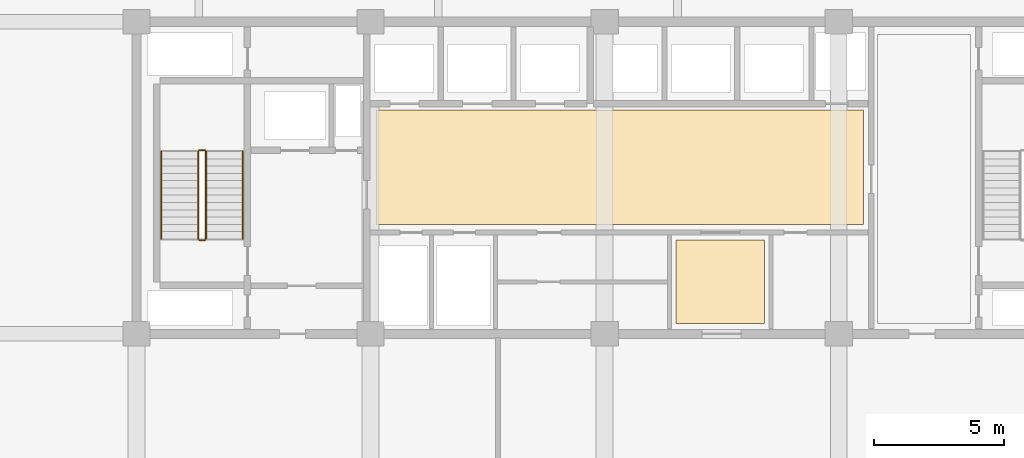
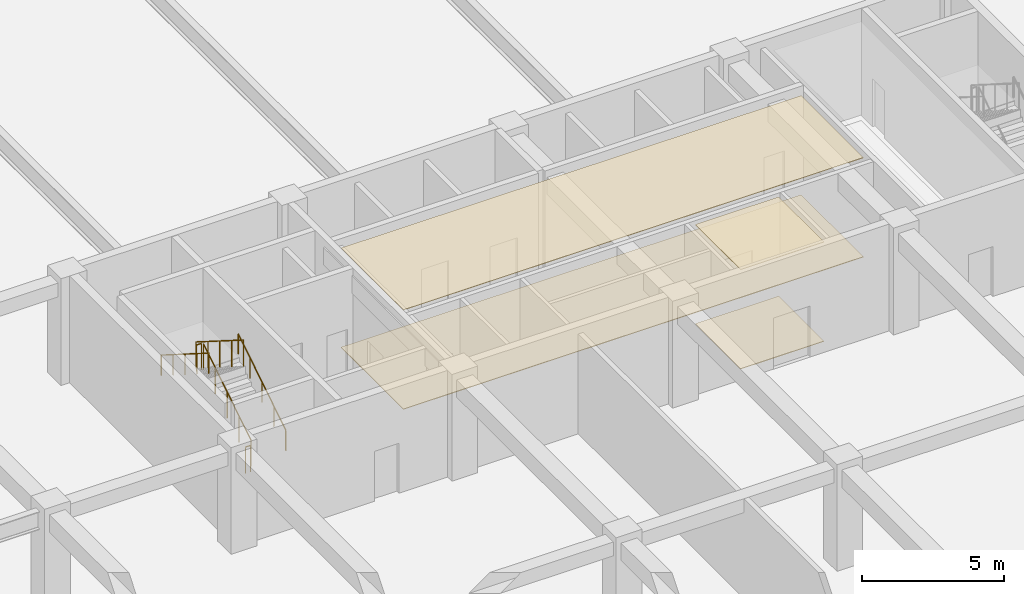
# One storey, part 35 of 45: 6 railings, 4 coverings.
"""IFC4 building model written with IfcOpenShell, lengths in metres."""

from ifc_helpers import new_model, si_unit, direction, frame, origin, origin_2d, place, context, subcontext, project, spatial, polyline, circle, outline, extrude, material, layer, layer_set, type_object, element, save


model = new_model("IFC4")

# Units and contexts
model_context = context("Model", 3, precision=1e-05, world=origin(), true_north=direction((0.0, 1.0)))
body_context = subcontext(model_context, "Body", "Model", "MODEL_VIEW")
ifc_project = project(units=[si_unit("LENGTHUNIT", "METRE"), si_unit("AREAUNIT", "SQUARE_METRE"), si_unit("VOLUMEUNIT", "CUBIC_METRE"), si_unit("PLANEANGLEUNIT", "RADIAN"), si_unit("MASSUNIT", "GRAM", prefix="KILO")], contexts=[model_context])

# Site, building, storey
site_placement = place(None, origin())
site = spatial("IfcSite", under=ifc_project, at=site_placement, CompositionType="ELEMENT")
building_placement = place(site_placement, origin())
building = spatial("IfcBuilding", under=site, at=building_placement, Name="Korimba Cascade Residences", CompositionType="ELEMENT")
storey_placement = place(building_placement, frame((0.0, 0.0, 5.39990234375)))
storey = spatial("IfcBuildingStorey", under=building, at=storey_placement, Name="L01", CompositionType="ELEMENT", Elevation=5.39990234375)

# Coverings
ifc_material_1 = material(Name="Perforated Acoustic Gypsum Ceiling", Category="gypsum")
ifc_layer_1 = layer(ifc_material_1, 0.02490234375)
ifc_layer_set_1 = layer_set([ifc_layer_1], Name="Perforated Acoustic Gypsum Ceiling")
covering_type_1 = type_object("IfcCoveringType", Name="COV-CLG-AC", PredefinedType="CEILING", material=ifc_layer_set_1)
covering_1_placement = place(storey_placement, frame((0.0, 0.0, 4.275146484375)))
element("IfcCovering", 1, at=covering_1_placement, inside=storey, type_object=covering_type_1, Name="L01 Suspended Acoustic Ceiling L01-LL2", PredefinedType="CEILING", context=body_context, shape_type="SweptSolid", body=[
    extrude(outline(polyline([(91.300048828125, 22.60009765625), (110.050048828125, 22.60009765625), (110.050048828125, 27.0), (91.300048828125, 27.0), (91.300048828125, 22.60009765625)])), origin(), (0.0, 0.0, 1.0), 0.02490234375),
])
covering_2_placement = place(storey_placement, frame((0.0, 0.0, 4.275146484375)))
element("IfcCovering", 2, at=covering_2_placement, inside=storey, type_object=covering_type_1, Name="L01 Suspended Acoustic Ceiling L01-LT2", PredefinedType="CEILING", context=body_context, shape_type="SweptSolid", body=[
    extrude(outline(polyline([(102.85009765625, 18.800048828125), (106.25, 18.800048828125), (106.25, 22.0), (102.85009765625, 22.0), (102.85009765625, 18.800048828125)])), origin(), (0.0, 0.0, 1.0), 0.02490234375),
])
ifc_material_2 = material(Name="Honed Travertine Stone Flooring", Category="masonry")
ifc_layer_2 = layer(ifc_material_2, 0.02490234375)
ifc_layer_set_2 = layer_set([ifc_layer_2], Name="Honed Travertine Stone Flooring")
covering_type_2 = type_object("IfcCoveringType", Name="COV-FLR-STN", PredefinedType="FLOORING", material=ifc_layer_set_2)
covering_3_placement = place(storey_placement, origin())
element("IfcCovering", 3, at=covering_3_placement, inside=storey, type_object=covering_type_2, Name="L01 Honed Travertine Stone Flooring L01-LL2", PredefinedType="FLOORING", context=body_context, shape_type="SweptSolid", body=[
    extrude(outline(polyline([(91.300048828125, 22.60009765625), (110.050048828125, 22.60009765625), (110.050048828125, 27.0), (91.300048828125, 27.0), (91.300048828125, 22.60009765625)])), origin(), (0.0, 0.0, 1.0), 0.025146484375),
])
covering_4_placement = place(storey_placement, origin())
element("IfcCovering", 4, at=covering_4_placement, inside=storey, type_object=covering_type_2, Name="L01 Honed Travertine Stone Flooring L01-LT2", PredefinedType="FLOORING", context=body_context, shape_type="SweptSolid", body=[
    extrude(outline(polyline([(102.85009765625, 18.800048828125), (106.25, 18.800048828125), (106.25, 22.0), (102.85009765625, 22.0), (102.85009765625, 18.800048828125)])), origin(), (0.0, 0.0, 1.0), 0.025146484375),
])

# Railings
ifc_material_3 = material(Name="Painted Steel Stairwell Guardrail", Category="steel")
railing_type_1 = type_object("IfcRailingType", Name="RLG-ST-GD1150", PredefinedType="GUARDRAIL", material=ifc_material_3)
railing_1_placement = place(storey_placement, frame((84.77001953125, 22.050048828125, 0.177001953125)))
element("IfcRailing", 5, at=railing_1_placement, inside=storey, type_object=railing_type_1, Name="L01 ST-E1 stair guard 1", PredefinedType="GUARDRAIL", context=body_context, shape_type="SweptSolid", body=[
    extrude(circle(Radius=0.02392578125, at=origin_2d()), frame((0.0, 0.0, 1.1259765625), z_axis=(0.0, 0.845372108799, 0.534177870812), x_axis=(-1.0, 0.0, 0.0)), (0.0, 0.0, 1.0), 3.974365234375),
    extrude(circle(Radius=0.02099609375, at=origin_2d()), origin(), (0.0, 0.0, 1.0), 1.101806640625),
    extrude(circle(Radius=0.02099609375, at=origin_2d()), frame((0.0, 0.83984375, 0.53076171875)), (0.0, 0.0, 1.0), 1.101806640625),
    extrude(circle(Radius=0.02099609375, at=origin_2d()), frame((0.0, 1.679931640625, 1.0615234375)), (0.0, 0.0, 1.0), 1.101806640625),
    extrude(circle(Radius=0.02099609375, at=origin_2d()), frame((0.0, 2.52001953125, 1.59228515625)), (0.0, 0.0, 1.0), 1.101806640625),
    extrude(circle(Radius=0.02099609375, at=origin_2d()), frame((0.0, 3.35986328125, 2.123046875)), (0.0, 0.0, 1.0), 1.101806640625),
])
railing_2_placement = place(storey_placement, frame((84.719970703125, 25.4599609375, 2.300048828125)))
element("IfcRailing", 6, at=railing_2_placement, inside=storey, type_object=railing_type_1, Name="L01 ST-E1 stair guard 2", PredefinedType="GUARDRAIL", context=body_context, shape_type="SweptSolid", body=[
    extrude(circle(Radius=0.02392578125, at=origin_2d()), frame((0.0, 0.0, 1.1259765625), z_axis=(-1.0, 0.0, 0.0), x_axis=(0.0, -1.0, 0.0)), (0.0, 0.0, 1.0), 0.199951171875),
    extrude(circle(Radius=0.02099609375, at=origin_2d()), origin(), (0.0, 0.0, 1.0), 1.101806640625),
    extrude(circle(Radius=0.02099609375, at=origin_2d()), frame((-0.199951171875, 0.0, 0.0)), (0.0, 0.0, 1.0), 1.101806640625),
])
railing_3_placement = place(storey_placement, frame((84.469970703125, 25.409912109375, 2.47705078125)))
element("IfcRailing", 7, at=railing_3_placement, inside=storey, type_object=railing_type_1, Name="L01 ST-E1 stair guard 3", PredefinedType="GUARDRAIL", context=body_context, shape_type="SweptSolid", body=[
    extrude(circle(Radius=0.02392578125, at=origin_2d()), frame((0.0, 0.0, 1.1259765625), z_axis=(0.0, -0.845372108799, 0.534177870812), x_axis=(1.0, 0.0, 0.0)), (0.0, 0.0, 1.0), 3.974365234375),
    extrude(circle(Radius=0.02099609375, at=origin_2d()), origin(), (0.0, 0.0, 1.0), 1.101806640625),
    extrude(circle(Radius=0.02099609375, at=origin_2d()), frame((0.0, -0.83984375, 0.53076171875)), (0.0, 0.0, 1.0), 1.101806640625),
    extrude(circle(Radius=0.02099609375, at=origin_2d()), frame((0.0, -1.679931640625, 1.0615234375)), (0.0, 0.0, 1.0), 1.101806640625),
    extrude(circle(Radius=0.02099609375, at=origin_2d()), frame((0.0, -2.52001953125, 1.59228515625)), (0.0, 0.0, 1.0), 1.101806640625),
    extrude(circle(Radius=0.02099609375, at=origin_2d()), frame((0.0, -3.35986328125, 2.123046875)), (0.0, 0.0, 1.0), 1.101806640625),
])
railing_4_placement = place(storey_placement, frame((84.719970703125, 22.0, 0.0)))
element("IfcRailing", 8, at=railing_4_placement, inside=storey, type_object=railing_type_1, Name="L01 ST-E1 stair guard 4", PredefinedType="GUARDRAIL", context=body_context, shape_type="SweptSolid", body=[
    extrude(circle(Radius=0.02392578125, at=origin_2d()), frame((0.0, 0.0, 1.1259765625), z_axis=(-1.0, 0.0, 0.0), x_axis=(0.0, -1.0, 0.0)), (0.0, 0.0, 1.0), 0.199951171875),
    extrude(circle(Radius=0.02099609375, at=origin_2d()), origin(), (0.0, 0.0, 1.0), 1.101806640625),
    extrude(circle(Radius=0.02099609375, at=origin_2d()), frame((-0.199951171875, 0.0, 0.0)), (0.0, 0.0, 1.0), 1.101806640625),
])
ifc_material_4 = material(Name="Brushed Stainless Steel Handrail", Category="steel")
railing_type_2 = type_object("IfcRailingType", Name="RLG-ST-HR900", PredefinedType="HANDRAIL", material=ifc_material_4)
railing_5_placement = place(storey_placement, frame((86.18994140625, 22.050048828125, 0.357666015625)))
element("IfcRailing", 9, at=railing_5_placement, inside=storey, type_object=railing_type_2, Name="L01 ST-E1 stair handrail 1", PredefinedType="HANDRAIL", context=body_context, shape_type="SweptSolid", body=[
    extrude(circle(Radius=0.02392578125, at=origin_2d()), frame((0.0, 0.0, 0.8759765625), z_axis=(0.0, 0.845372108799, 0.534177870812), x_axis=(-1.0, 0.0, 0.0)), (0.0, 0.0, 1.0), 3.974365234375),
    extrude(circle(Radius=0.02099609375, at=origin_2d()), origin(), (0.0, 0.0, 1.0), 0.851806640625),
    extrude(circle(Radius=0.02099609375, at=origin_2d()), frame((0.0, 0.83984375, 0.53076171875)), (0.0, 0.0, 1.0), 0.851806640625),
    extrude(circle(Radius=0.02099609375, at=origin_2d()), frame((0.0, 1.679931640625, 1.0615234375)), (0.0, 0.0, 1.0), 0.851806640625),
    extrude(circle(Radius=0.02099609375, at=origin_2d()), frame((0.0, 2.52001953125, 1.59228515625)), (0.0, 0.0, 1.0), 0.851806640625),
    extrude(circle(Radius=0.02099609375, at=origin_2d()), frame((0.0, 3.35986328125, 2.123046875)), (0.0, 0.0, 1.0), 0.851806640625),
])
railing_6_placement = place(storey_placement, frame((83.050048828125, 25.409912109375, 2.65771484375)))
element("IfcRailing", 10, at=railing_6_placement, inside=storey, type_object=railing_type_2, Name="L01 ST-E1 stair handrail 2", PredefinedType="HANDRAIL", context=body_context, shape_type="SweptSolid", body=[
    extrude(circle(Radius=0.02392578125, at=origin_2d()), frame((0.0, 0.0, 0.8759765625), z_axis=(0.0, -0.845372108799, 0.534177870812), x_axis=(1.0, 0.0, 0.0)), (0.0, 0.0, 1.0), 3.974365234375),
    extrude(circle(Radius=0.02099609375, at=origin_2d()), origin(), (0.0, 0.0, 1.0), 0.851806640625),
    extrude(circle(Radius=0.02099609375, at=origin_2d()), frame((0.0, -0.83984375, 0.53076171875)), (0.0, 0.0, 1.0), 0.851806640625),
    extrude(circle(Radius=0.02099609375, at=origin_2d()), frame((0.0, -1.679931640625, 1.0615234375)), (0.0, 0.0, 1.0), 0.851806640625),
    extrude(circle(Radius=0.02099609375, at=origin_2d()), frame((0.0, -2.52001953125, 1.59228515625)), (0.0, 0.0, 1.0), 0.851806640625),
    extrude(circle(Radius=0.02099609375, at=origin_2d()), frame((0.0, -3.35986328125, 2.123046875)), (0.0, 0.0, 1.0), 0.851806640625),
])

save(model, "model.ifc")
